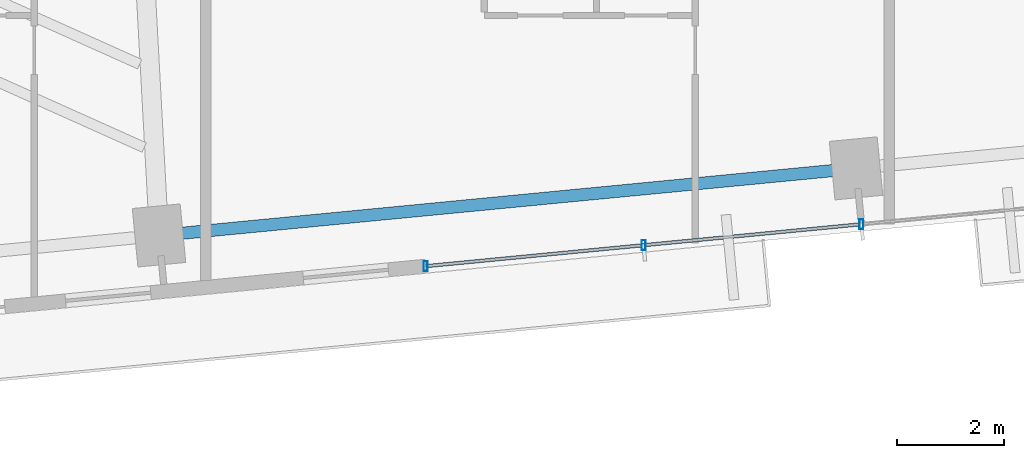
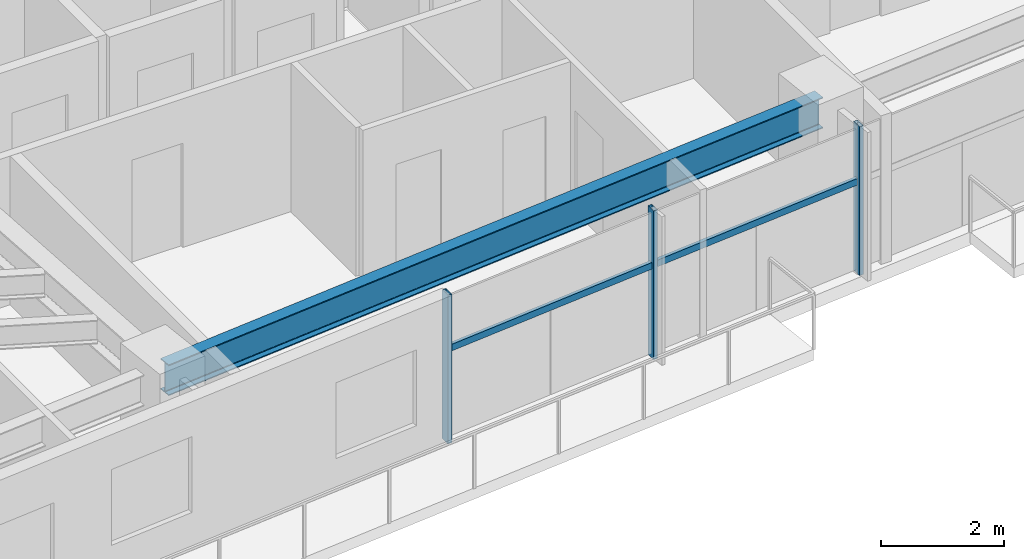
# One storey, part 6 of 27: 5 members, 1 beam, 1 element without a shape of its own.
"""IFC4 building model written with IfcOpenShell, lengths in metres."""

from ifc_helpers import new_model, si_unit, direction, frame, origin, origin_2d, place, context, subcontext, project, spatial, hollow_rectangle, i_section, extrude, source, transform, mapped, material, material_profile, profile_set, type_object, type_shapes, element, aggregate, save


model = new_model("IFC4")

# Units and contexts
model_context = context("Model", 3, precision=1e-05, world=origin(), true_north=direction((0.0, 1.0)))
body_context = subcontext(model_context, "Body", "Model", "MODEL_VIEW")
ifc_project = project(units=[si_unit("LENGTHUNIT", "METRE"), si_unit("AREAUNIT", "SQUARE_METRE"), si_unit("VOLUMEUNIT", "CUBIC_METRE"), si_unit("PLANEANGLEUNIT", "RADIAN"), si_unit("MASSUNIT", "GRAM", prefix="KILO")], contexts=[model_context])

# Site, building, storey
site_placement = place(None, origin())
site = spatial("IfcSite", under=ifc_project, at=site_placement, CompositionType="ELEMENT")
building_placement = place(site_placement, origin())
building = spatial("IfcBuilding", under=site, at=building_placement, Name="Astriad Promenade Condominiums", CompositionType="ELEMENT")
storey_placement = place(building_placement, frame((0.0, 0.0, 97.0)))
storey = spatial("IfcBuildingStorey", under=building, at=storey_placement, Name="L27", CompositionType="ELEMENT", Elevation=97.0)

# Beam
ifc_material_1 = material(Name="Steel ASTM A992 Grade 50", Category="steel")
ifc_material_profile_1 = material_profile(ifc_material_1, i_section(OverallWidth=0.22900390625, OverallDepth=0.612060546875, WebThickness=0.011962890625, FlangeThickness=0.01953125, FilletRadius=0.017822265625, at=origin_2d()), Name="W24X84")
ifc_profile_set_1 = profile_set([ifc_material_profile_1], Name="Steel ASTM A992 Grade 50")
beam_type = type_object("IfcBeamType", Name="STEEL SPANDREL BEAM W24X84", PredefinedType="SPANDREL", material=ifc_profile_set_1)
shared_shape_1 = source(origin(), body_context, "Body", "SweptSolid", [
    extrude(i_section(OverallWidth=0.22900390625, OverallDepth=0.612060546875, WebThickness=0.011962890625, FlangeThickness=0.01953125, FilletRadius=0.017822265625, at=origin_2d()), origin(), (0.0, 0.0, 1.0), 13.020263671875),
])
type_shapes(beam_type, [shared_shape_1])
beam_placement = place(storey_placement, frame((27.04541015625, 6.268798828125, 2.6337890625), z_axis=(0.995395311238, 0.095854965264, 0.0), x_axis=(-0.095854965264, 0.995395311238, 0.0)))
element("IfcBeam", 1, at=beam_placement, inside=storey, type_object=beam_type, Name="Perimeter Spandrel Beam SP-S2-L27", PredefinedType="SPANDREL", context=body_context, shape_type="MappedRepresentation", body=[
    mapped(shared_shape_1, transform((0.0, 0.0, 0.0), scale=1.0)),
])

# Curtain wall, members
ifc_material_2 = material(Name="Anodised aluminium Black Dark Glass Unitised", Category="aluminium")
curtain_wall_type = type_object("IfcCurtainWallType", Name="CW-B2-DARK", PredefinedType="USERDEFINED", material=ifc_material_2)
curtain_wall_placement = place(storey_placement, origin())
curtain_wall = element("IfcCurtainWall", 2, at=curtain_wall_placement, inside=storey, type_object=curtain_wall_type, Name="CW-L27-S", ObjectType="UNITISED_CURTAIN_WALL", PredefinedType="USERDEFINED")
ifc_material_3 = material(Name="Anodised aluminium 6063-T6 Black", Category="aluminium")
ifc_material_profile_2 = material_profile(ifc_material_3, hollow_rectangle(XDim=0.074951171875, YDim=0.18505859375, WallThickness=0.00439453125, at=origin_2d()), Name="ALU-MUL-75X185")
ifc_profile_set_2 = profile_set([ifc_material_profile_2], Name="Anodised aluminium 6063-T6 Black")
member_type_1 = type_object("IfcMemberType", Name="MUL-ALU-MUL-75X185", PredefinedType="MULLION", material=ifc_profile_set_2)
shared_shape_2 = source(origin(), body_context, "Body", "SweptSolid", [
    extrude(hollow_rectangle(XDim=0.074951171875, YDim=0.18505859375, WallThickness=0.00439453125, at=origin_2d()), origin(), (0.0, 0.0, 1.0), 2.93994140625),
])
type_shapes(member_type_1, [shared_shape_2])
member_1_placement = place(storey_placement, frame((40.14599609375, 6.475341796875, 0.0), z_axis=(0.0, 0.0, 1.0), x_axis=(1.0, 0.0, 0.0)))
member_1 = element("IfcMember", 3, at=member_1_placement, type_object=member_type_1, Name="CW-L27-S-MUL-02", PredefinedType="MULLION", context=body_context, shape_type="MappedRepresentation", body=[
    mapped(shared_shape_2, transform((0.0, 0.0, 0.0), scale=1.0)),
])
member_2_placement = place(storey_placement, frame((36.06982421875, 6.0830078125, 0.0), z_axis=(0.0, 0.0, 1.0), x_axis=(1.0, 0.0, 0.0)))
member_2 = element("IfcMember", 4, at=member_2_placement, type_object=member_type_1, Name="CW-L27-S-MUL-03", PredefinedType="MULLION", context=body_context, shape_type="MappedRepresentation", body=[
    mapped(shared_shape_2, transform((0.0, 0.0, 0.0), scale=1.0)),
])
member_3_placement = place(storey_placement, frame((31.99365234375, 5.6904296875, 0.0), z_axis=(0.0, 0.0, 1.0), x_axis=(1.0, 0.0, 0.0)))
member_3 = element("IfcMember", 5, at=member_3_placement, type_object=member_type_1, Name="CW-L27-S-MUL-04", PredefinedType="MULLION", context=body_context, shape_type="MappedRepresentation", body=[
    mapped(shared_shape_2, transform((0.0, 0.0, 0.0), scale=1.0)),
])
ifc_material_profile_3 = material_profile(ifc_material_3, hollow_rectangle(XDim=0.06494140625, YDim=0.1298828125, WallThickness=0.00390625, at=origin_2d()), Name="ALU-TRN-65X130")
ifc_profile_set_3 = profile_set([ifc_material_profile_3], Name="Anodised aluminium 6063-T6 Black")
member_type_2 = type_object("IfcMemberType", Name="TRN-ALU-TRN-65X130", PredefinedType="USERDEFINED", material=ifc_profile_set_3)
shared_shape_3 = source(origin(), body_context, "Body", "SweptSolid", [
    extrude(hollow_rectangle(XDim=0.06494140625, YDim=0.1298828125, WallThickness=0.00390625, at=origin_2d()), origin(), (0.0, 0.0, 1.0), 4.094970703125),
])
type_shapes(member_type_2, [shared_shape_3])
member_4_placement = place(storey_placement, frame((40.14599609375, 6.475341796875, 1.82275390625), z_axis=(-0.995399849002, -0.095807831657, 0.0), x_axis=(0.095807831657, -0.995399849002, 0.0)))
member_4 = element("IfcMember", 6, at=member_4_placement, type_object=member_type_2, Name="CW-L27-S-TRN-02-0", ObjectType="TRANSOM", PredefinedType="USERDEFINED", context=body_context, shape_type="MappedRepresentation", body=[
    mapped(shared_shape_3, transform((0.0, 0.0, 0.0), scale=1.0)),
])
member_5_placement = place(storey_placement, frame((36.06982421875, 6.0830078125, 1.82275390625), z_axis=(-0.995394161585, -0.09586690296, 0.0), x_axis=(0.09586690296, -0.995394161585, 0.0)))
member_5 = element("IfcMember", 7, at=member_5_placement, type_object=member_type_2, Name="CW-L27-S-TRN-03-0", ObjectType="TRANSOM", PredefinedType="USERDEFINED", context=body_context, shape_type="MappedRepresentation", body=[
    mapped(shared_shape_3, transform((0.0, 0.0, 0.0), scale=1.0)),
])
aggregate(curtain_wall, [member_1, member_2, member_3, member_4, member_5])

save(model, "model.ifc")
